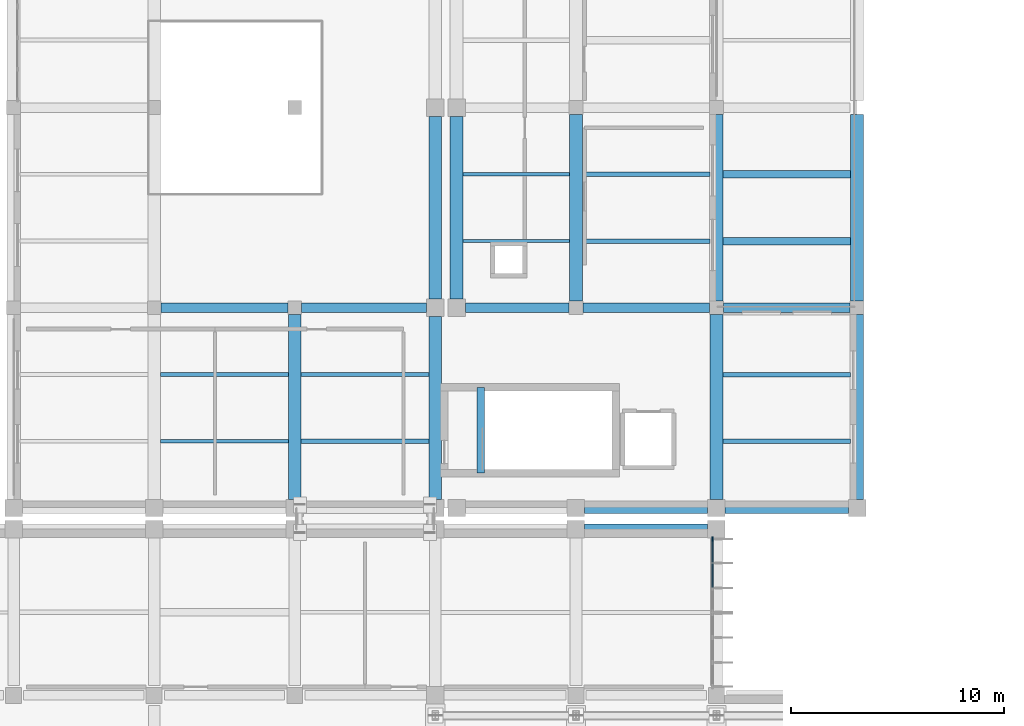
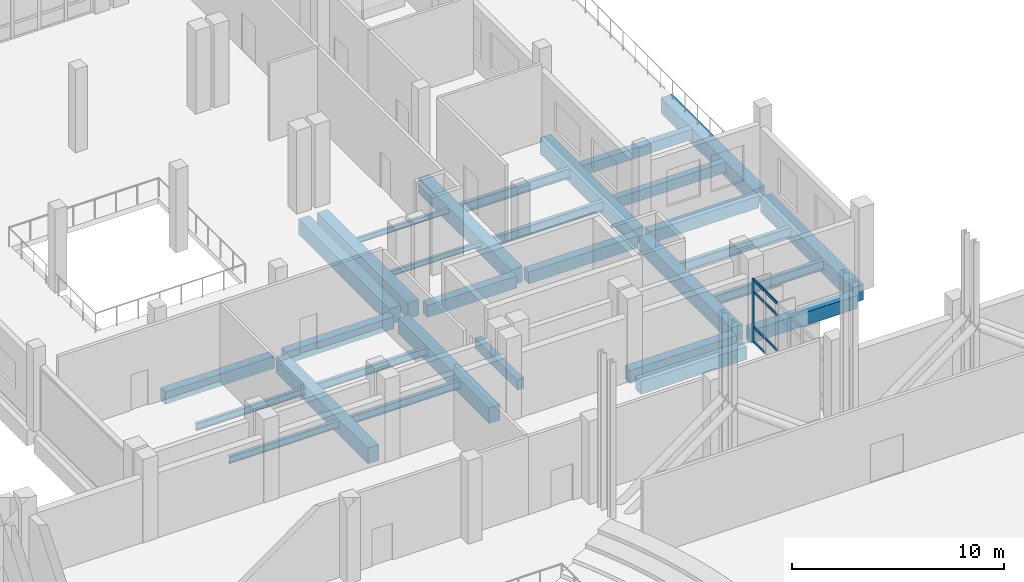
# One storey, part 27 of 73: 30 beams, 8 members, 1 element without a shape of its own.
"""IFC4 building model written with IfcOpenShell, lengths in metres."""

from ifc_helpers import new_model, si_unit, direction, frame, origin, origin_2d, place, context, subcontext, project, spatial, rectangle, i_section, extrude, material, layer, layer_set, material_profile, profile_set, type_object, element, aggregate, save


model = new_model("IFC4")

# Units and contexts
model_context = context("Model", 3, precision=1e-05, world=origin(), true_north=direction((0.0, 1.0)))
body_context = subcontext(model_context, "Body", "Model", "MODEL_VIEW")
ifc_project = project(units=[si_unit("LENGTHUNIT", "METRE"), si_unit("AREAUNIT", "SQUARE_METRE"), si_unit("VOLUMEUNIT", "CUBIC_METRE"), si_unit("PLANEANGLEUNIT", "RADIAN"), si_unit("MASSUNIT", "GRAM", prefix="KILO")], contexts=[model_context])

# Site, building, storey
site_placement = place(None, origin())
site = spatial("IfcSite", under=ifc_project, at=site_placement, CompositionType="ELEMENT")
building_placement = place(site_placement, origin())
building = spatial("IfcBuilding", under=site, at=building_placement, Name="Kelarvand Opera House", CompositionType="ELEMENT")
storey_placement = place(building_placement, frame((0.0, 0.0, 10.199951171875)))
storey = spatial("IfcBuildingStorey", under=building, at=storey_placement, Name="L02", CompositionType="ELEMENT", Elevation=10.199951171875)

# Curtain wall, members
ifc_material_1 = material(Name="Thermally broken aluminium and low-E glazing", Category="aluminium")
ifc_layer = layer(ifc_material_1, 0.219970703125, Name="Thermally broken aluminium and low-E glazing", Category="aluminium")
ifc_layer_set = layer_set([ifc_layer], Name="Thermally broken aluminium and low-E glazing")
curtain_wall_type = type_object("IfcCurtainWallType", Name="Unitised Low-E Curtain Wall 3493x3630 Mod 1150 CWF-05", PredefinedType="USERDEFINED", material=ifc_layer_set)
curtain_wall_placement = place(storey_placement, origin())
curtain_wall = element("IfcCurtainWall", 1, at=curtain_wall_placement, inside=storey, type_object=curtain_wall_type, Name="V1 L02 Curtain Wall CWF-05 (15)", ObjectType="UNITISED CURTAIN WALL", PredefinedType="USERDEFINED")
ifc_material_2 = material(Name="Thermally broken anodised aluminium", Category="aluminium")
ifc_material_profile_1 = material_profile(ifc_material_2, rectangle(XDim=0.074951171875, YDim=0.219970703125, at=origin_2d()), Name="ALU MULLION 75x220", Category="aluminium")
ifc_profile_set_1 = profile_set([ifc_material_profile_1], Name="Thermally broken anodised aluminium")
member_type_1 = type_object("IfcMemberType", Name="Curtain Wall Mullion 75x220 Heavy Plaza", PredefinedType="MULLION", material=ifc_profile_set_1)
member_1_placement = place(storey_placement, frame((128.419921875, 85.742431640625, 0.0), z_axis=(0.0, 0.0, 1.0), x_axis=(1.0, 0.0, 0.0)))
member_1 = element("IfcMember", 2, at=member_1_placement, type_object=member_type_1, Name="CWF-05 mullion 1", PredefinedType="MULLION", context=body_context, shape_type="SweptSolid", body=[
    extrude(rectangle(XDim=0.074951171875, YDim=0.219970703125, at=origin_2d()), origin(), (0.0, 0.0, 1.0), 3.630126953125),
])
ifc_material_profile_2 = material_profile(ifc_material_2, rectangle(XDim=0.074951171875, YDim=0.159912109375, at=origin_2d()), Name="ALU TRANSOM 75x160", Category="aluminium")
ifc_profile_set_2 = profile_set([ifc_material_profile_2], Name="Thermally broken anodised aluminium")
member_type_2 = type_object("IfcMemberType", Name="Curtain Wall Transom 75x160 Heavy Plaza", PredefinedType="USERDEFINED", material=ifc_profile_set_2)
member_2_placement = place(storey_placement, frame((128.419921875, 85.705078125, 0.03759765625), z_axis=(0.0, -1.0, 0.0), x_axis=(1.0, 0.0, 0.0)))
member_2 = element("IfcMember", 3, at=member_2_placement, type_object=member_type_2, Name="CWF-05 transom 1.1", ObjectType="TRANSOM", PredefinedType="USERDEFINED", context=body_context, shape_type="SweptSolid", body=[
    extrude(rectangle(XDim=0.074951171875, YDim=0.159912109375, at=origin_2d()), origin(), (0.0, 0.0, 1.0), 1.052001953125),
])
member_3_placement = place(storey_placement, frame((128.419921875, 85.705078125, 0.900146484375), z_axis=(0.0, -1.0, 0.0), x_axis=(1.0, 0.0, 0.0)))
member_3 = element("IfcMember", 4, at=member_3_placement, type_object=member_type_2, Name="CWF-05 transom 1.2", ObjectType="TRANSOM", PredefinedType="USERDEFINED", context=body_context, shape_type="SweptSolid", body=[
    extrude(rectangle(XDim=0.074951171875, YDim=0.159912109375, at=origin_2d()), origin(), (0.0, 0.0, 1.0), 1.052001953125),
])
member_4_placement = place(storey_placement, frame((128.419921875, 85.705078125, 2.929931640625), z_axis=(0.0, -1.0, 0.0), x_axis=(1.0, 0.0, 0.0)))
member_4 = element("IfcMember", 5, at=member_4_placement, type_object=member_type_2, Name="CWF-05 transom 1.3", ObjectType="TRANSOM", PredefinedType="USERDEFINED", context=body_context, shape_type="SweptSolid", body=[
    extrude(rectangle(XDim=0.074951171875, YDim=0.159912109375, at=origin_2d()), origin(), (0.0, 0.0, 1.0), 1.052001953125),
])
member_5_placement = place(storey_placement, frame((128.419921875, 85.705078125, 3.592529296875), z_axis=(0.0, -1.0, 0.0), x_axis=(1.0, 0.0, 0.0)))
member_5 = element("IfcMember", 6, at=member_5_placement, type_object=member_type_2, Name="CWF-05 transom 1.4", ObjectType="TRANSOM", PredefinedType="USERDEFINED", context=body_context, shape_type="SweptSolid", body=[
    extrude(rectangle(XDim=0.074951171875, YDim=0.159912109375, at=origin_2d()), origin(), (0.0, 0.0, 1.0), 1.052001953125),
])
member_6_placement = place(storey_placement, frame((128.419921875, 84.577880859375, 0.900146484375), z_axis=(0.0, -1.0, 0.0), x_axis=(1.0, 0.0, 0.0)))
member_6 = element("IfcMember", 7, at=member_6_placement, type_object=member_type_2, Name="CWF-05 transom 2.2", ObjectType="TRANSOM", PredefinedType="USERDEFINED", context=body_context, shape_type="SweptSolid", body=[
    extrude(rectangle(XDim=0.074951171875, YDim=0.159912109375, at=origin_2d()), origin(), (0.0, 0.0, 1.0), 1.08935546875),
])
member_7_placement = place(storey_placement, frame((128.419921875, 84.577880859375, 2.929931640625), z_axis=(0.0, -1.0, 0.0), x_axis=(1.0, 0.0, 0.0)))
member_7 = element("IfcMember", 8, at=member_7_placement, type_object=member_type_2, Name="CWF-05 transom 2.3", ObjectType="TRANSOM", PredefinedType="USERDEFINED", context=body_context, shape_type="SweptSolid", body=[
    extrude(rectangle(XDim=0.074951171875, YDim=0.159912109375, at=origin_2d()), origin(), (0.0, 0.0, 1.0), 1.08935546875),
])
member_8_placement = place(storey_placement, frame((128.419921875, 84.577880859375, 3.592529296875), z_axis=(0.0, -1.0, 0.0), x_axis=(1.0, 0.0, 0.0)))
member_8 = element("IfcMember", 9, at=member_8_placement, type_object=member_type_2, Name="CWF-05 transom 2.4", ObjectType="TRANSOM", PredefinedType="USERDEFINED", context=body_context, shape_type="SweptSolid", body=[
    extrude(rectangle(XDim=0.074951171875, YDim=0.159912109375, at=origin_2d()), origin(), (0.0, 0.0, 1.0), 1.08935546875),
])
aggregate(curtain_wall, [member_1, member_2, member_3, member_4, member_5, member_6, member_7, member_8])

# Beams
ifc_material_3 = material(Name="Concrete C35/45", Category="concrete")
ifc_material_profile_3 = material_profile(ifc_material_3, rectangle(XDim=0.35009765625, YDim=0.60009765625, at=origin_2d()), Name="RC 350x600", Category="concrete")
ifc_profile_set_3 = profile_set([ifc_material_profile_3], Name="Concrete C35/45")
beam_type_1 = type_object("IfcBeamType", Name="Structural Beam RC 350x600 BM-RC350x600", PredefinedType="BEAM", material=ifc_profile_set_3)
for number, where, z_axis, x_axis, name in (
    (10, (128.89990234375, 99.7333984375, -0.599853515625), (1.0, 0.0, 0.0), (0.0, 1.0, 0.0), "V5 L02 Beam BM-RC350x600"),
    (11, (128.89990234375, 102.86669921875, -0.599853515625), (1.0, 0.0, 0.0), (0.0, 1.0, 0.0), "V5 L02 Beam BM-RC350x600"),
):
    element("IfcBeam", number, at=place(storey_placement, frame(where, z_axis=z_axis, x_axis=x_axis)), inside=storey, type_object=beam_type_1, Name=name, PredefinedType="BEAM", context=body_context, shape_type="SweptSolid", body=[
        extrude(rectangle(XDim=0.35009765625, YDim=0.60009765625, at=origin_2d()), origin(), (0.0, 0.0, 1.0), 6.0),
    ])
beam_1_placement = place(storey_placement, frame((117.5400390625, 88.85009765625, -0.52001953125), z_axis=(0.0, 1.0, 0.0), x_axis=(-1.0, 0.0, 0.0)))
element("IfcBeam", 12, at=beam_1_placement, inside=storey, type_object=beam_type_1, Name="C7 Stair Landing Support Beam L02", PredefinedType="BEAM", context=body_context, shape_type="SweptSolid", body=[
    extrude(rectangle(XDim=0.35009765625, YDim=0.60009765625, at=origin_2d()), origin(), (0.0, 0.0, 1.0), 4.0),
])
ifc_material_4 = material(Name="Concrete C40/50", Category="concrete")
ifc_material_profile_4 = material_profile(ifc_material_4, rectangle(XDim=0.449951171875, YDim=0.699951171875, at=origin_2d()), Name="RC 450x700", Category="concrete")
ifc_profile_set_4 = profile_set([ifc_material_profile_4], Name="Concrete C40/50")
beam_type_2 = type_object("IfcBeamType", Name="Structural Beam RC 450x700 BM-RC450x700", PredefinedType="BEAM", material=ifc_profile_set_4)
beam_2_placement = place(storey_placement, frame((102.52490234375, 96.60009765625, -0.64990234375), z_axis=(1.0, 0.0, 0.0), x_axis=(0.0, 1.0, 0.0)))
element("IfcBeam", 13, at=beam_2_placement, inside=storey, type_object=beam_type_2, Name="V5 L02 Beam BM-RC450x700", PredefinedType="BEAM", context=body_context, shape_type="SweptSolid", body=[
    extrude(rectangle(XDim=0.449951171875, YDim=0.699951171875, at=origin_2d()), origin(), (0.0, 0.0, 1.0), 5.9501953125),
])
beam_3_placement = place(storey_placement, frame((109.125, 96.60009765625, -0.64990234375), z_axis=(1.0, 0.0, 0.0), x_axis=(0.0, 1.0, 0.0)))
element("IfcBeam", 14, at=beam_3_placement, inside=storey, type_object=beam_type_2, Name="V5 L02 Beam BM-RC450x700", PredefinedType="BEAM", context=body_context, shape_type="SweptSolid", body=[
    extrude(rectangle(XDim=0.449951171875, YDim=0.699951171875, at=origin_2d()), origin(), (0.0, 0.0, 1.0), 5.864990234375),
])
beam_4_placement = place(storey_placement, frame((116.81005859375, 96.60009765625, -0.64990234375), z_axis=(1.0, 0.0, 0.0), x_axis=(0.0, 1.0, 0.0)))
element("IfcBeam", 15, at=beam_4_placement, inside=storey, type_object=beam_type_2, Name="V5 L02 Beam BM-RC450x700", PredefinedType="BEAM", context=body_context, shape_type="SweptSolid", body=[
    extrude(rectangle(XDim=0.449951171875, YDim=0.699951171875, at=origin_2d()), origin(), (0.0, 0.0, 1.0), 4.864990234375),
])
for number, where, z_axis, x_axis, name in (
    (16, (122.324951171875, 96.60009765625, -0.64990234375), (1.0, 0.0, 0.0), (0.0, 1.0, 0.0), "V5 L02 Beam BM-RC450x700"),
    (17, (128.925048828125, 96.60009765625, -0.64990234375), (1.0, 0.0, 0.0), (0.0, 1.0, 0.0), "V5 L02 Beam BM-RC450x700"),
):
    element("IfcBeam", number, at=place(storey_placement, frame(where, z_axis=z_axis, x_axis=x_axis)), inside=storey, type_object=beam_type_2, Name=name, PredefinedType="BEAM", context=body_context, shape_type="SweptSolid", body=[
        extrude(rectangle(XDim=0.449951171875, YDim=0.699951171875, at=origin_2d()), origin(), (0.0, 0.0, 1.0), 5.949951171875),
    ])
ifc_material_profile_5 = material_profile(ifc_material_4, rectangle(XDim=0.60009765625, YDim=0.89990234375, at=origin_2d()), Name="RC 600x900", Category="concrete")
ifc_profile_set_5 = profile_set([ifc_material_profile_5], Name="Concrete C40/50")
beam_type_3 = type_object("IfcBeamType", Name="Structural Beam RC 600x900 BM-RC600x900", PredefinedType="BEAM", material=ifc_profile_set_5)
beam_5_placement = place(storey_placement, frame((108.800048828125, 87.610107421875, -0.75), z_axis=(0.0, 1.0, 0.0), x_axis=(-1.0, 0.0, 0.0)))
element("IfcBeam", 18, at=beam_5_placement, inside=storey, type_object=beam_type_3, Name="V5 L02 Beam BM-RC600x900", PredefinedType="BEAM", context=body_context, shape_type="SweptSolid", body=[
    extrude(rectangle(XDim=0.60009765625, YDim=0.89990234375, at=origin_2d()), origin(), (0.0, 0.0, 1.0), 8.664794921875),
])
beam_6_placement = place(storey_placement, frame((115.39990234375, 87.610107421875, -0.75), z_axis=(0.0, 1.0, 0.0), x_axis=(-1.0, 0.0, 0.0)))
element("IfcBeam", 19, at=beam_6_placement, inside=storey, type_object=beam_type_3, Name="V5 L02 Beam BM-RC600x900", PredefinedType="BEAM", context=body_context, shape_type="SweptSolid", body=[
    extrude(rectangle(XDim=0.60009765625, YDim=0.89990234375, at=origin_2d()), origin(), (0.0, 0.0, 1.0), 8.579833984375),
])
for number, where, z_axis, x_axis, name in (
    (20, (115.39990234375, 97.010009765625, -0.75), (0.0, 1.0, 0.0), (-1.0, 0.0, 0.0), "V5 L02 Beam BM-RC600x900"),
    (21, (116.39990234375, 97.010009765625, -0.75), (0.0, 1.0, 0.0), (-1.0, 0.0, 0.0), "V5 L02 Beam BM-RC600x900"),
):
    element("IfcBeam", number, at=place(storey_placement, frame(where, z_axis=z_axis, x_axis=x_axis)), inside=storey, type_object=beam_type_3, Name=name, PredefinedType="BEAM", context=body_context, shape_type="SweptSolid", body=[
        extrude(rectangle(XDim=0.60009765625, YDim=0.89990234375, at=origin_2d()), origin(), (0.0, 0.0, 1.0), 8.580078125),
    ])
beam_7_placement = place(storey_placement, frame((122.0, 96.925048828125, -0.75), z_axis=(0.0, 1.0, 0.0), x_axis=(-1.0, 0.0, 0.0)))
element("IfcBeam", 22, at=beam_7_placement, inside=storey, type_object=beam_type_3, Name="V5 L02 Beam BM-RC600x900", PredefinedType="BEAM", context=body_context, shape_type="SweptSolid", body=[
    extrude(rectangle(XDim=0.60009765625, YDim=0.89990234375, at=origin_2d()), origin(), (0.0, 0.0, 1.0), 8.75),
])
beam_8_placement = place(storey_placement, frame((128.60009765625, 87.610107421875, -0.75), z_axis=(0.0, 1.0, 0.0), x_axis=(-1.0, 0.0, 0.0)))
element("IfcBeam", 23, at=beam_8_placement, inside=storey, type_object=beam_type_3, Name="V5 L02 Beam BM-RC600x900", PredefinedType="BEAM", context=body_context, shape_type="SweptSolid", body=[
    extrude(rectangle(XDim=0.60009765625, YDim=0.89990234375, at=origin_2d()), origin(), (0.0, 0.0, 1.0), 8.664794921875),
])
beam_9_placement = place(storey_placement, frame((128.60009765625, 96.925048828125, -0.75), z_axis=(0.0, 1.0, 0.0), x_axis=(-1.0, 0.0, 0.0)))
element("IfcBeam", 24, at=beam_9_placement, inside=storey, type_object=beam_type_3, Name="V5 L02 Beam BM-RC600x900", PredefinedType="BEAM", context=body_context, shape_type="SweptSolid", body=[
    extrude(rectangle(XDim=0.60009765625, YDim=0.89990234375, at=origin_2d()), origin(), (0.0, 0.0, 1.0), 8.75),
])
ifc_material_5 = material(Name="Steel S355", Category="steel")
ifc_material_profile_6 = material_profile(ifc_material_5, i_section(OverallWidth=0.14990234375, OverallDepth=0.300048828125, WebThickness=0.007080078125, FlangeThickness=0.0107421875, at=origin_2d()), Name="IPE 300", Category="steel")
ifc_profile_set_6 = profile_set([ifc_material_profile_6], Name="Steel S355")
beam_type_4 = type_object("IfcBeamType", Name="Structural Joist IPE 300 JS-IPE300", PredefinedType="JOIST", material=ifc_profile_set_6)
for number, where, z_axis, x_axis, name in (
    (25, (116.699951171875, 99.7333984375, -0.449951171875), (1.0, 0.0, 0.0), (0.0, 1.0, 0.0), "V5 L02 Beam JS-IPE300"),
    (26, (116.699951171875, 102.86669921875, -0.449951171875), (1.0, 0.0, 0.0), (0.0, 1.0, 0.0), "V5 L02 Beam JS-IPE300"),
):
    element("IfcBeam", number, at=place(storey_placement, frame(where, z_axis=z_axis, x_axis=x_axis)), inside=storey, type_object=beam_type_4, Name=name, PredefinedType="JOIST", context=body_context, shape_type="SweptSolid", body=[
        extrude(i_section(OverallWidth=0.14990234375, OverallDepth=0.300048828125, WebThickness=0.007080078125, FlangeThickness=0.0107421875, at=origin_2d()), origin(), (0.0, 0.0, 1.0), 5.0),
    ])
ifc_material_profile_7 = material_profile(ifc_material_5, i_section(OverallWidth=0.179931640625, OverallDepth=0.39990234375, WebThickness=0.008544921875, FlangeThickness=0.013427734375, at=origin_2d()), Name="IPE 400", Category="steel")
ifc_profile_set_7 = profile_set([ifc_material_profile_7], Name="Steel S355")
beam_type_5 = type_object("IfcBeamType", Name="Structural Joist IPE 400 JS-IPE400", PredefinedType="JOIST", material=ifc_profile_set_7)
for number, where, z_axis, x_axis, name in (
    (27, (102.5, 90.333251953125, -0.5), (1.0, 0.0, 0.0), (0.0, 1.0, 0.0), "V5 L02 Beam JS-IPE400"),
    (28, (102.5, 93.466796875, -0.5), (1.0, 0.0, 0.0), (0.0, 1.0, 0.0), "V5 L02 Beam JS-IPE400"),
):
    element("IfcBeam", number, at=place(storey_placement, frame(where, z_axis=z_axis, x_axis=x_axis)), inside=storey, type_object=beam_type_5, Name=name, PredefinedType="JOIST", context=body_context, shape_type="SweptSolid", body=[
        extrude(i_section(OverallWidth=0.179931640625, OverallDepth=0.39990234375, WebThickness=0.008544921875, FlangeThickness=0.013427734375, at=origin_2d()), origin(), (0.0, 0.0, 1.0), 6.0),
    ])
ifc_material_profile_8 = material_profile(ifc_material_5, i_section(OverallWidth=0.18994140625, OverallDepth=0.449951171875, WebThickness=0.009521484375, FlangeThickness=0.0146484375, at=origin_2d()), Name="IPE 450", Category="steel")
ifc_profile_set_8 = profile_set([ifc_material_profile_8], Name="Steel S355")
beam_type_6 = type_object("IfcBeamType", Name="Structural Joist IPE 450 JS-IPE450", PredefinedType="JOIST", material=ifc_profile_set_8)
for number, where, z_axis, x_axis, name in (
    (29, (109.10009765625, 90.333251953125, -0.52490234375), (1.0, 0.0, 0.0), (0.0, 1.0, 0.0), "V5 L02 Beam JS-IPE450"),
    (30, (109.10009765625, 93.466796875, -0.52490234375), (1.0, 0.0, 0.0), (0.0, 1.0, 0.0), "V5 L02 Beam JS-IPE450"),
):
    element("IfcBeam", number, at=place(storey_placement, frame(where, z_axis=z_axis, x_axis=x_axis)), inside=storey, type_object=beam_type_6, Name=name, PredefinedType="JOIST", context=body_context, shape_type="SweptSolid", body=[
        extrude(i_section(OverallWidth=0.18994140625, OverallDepth=0.449951171875, WebThickness=0.009521484375, FlangeThickness=0.0146484375, at=origin_2d()), origin(), (0.0, 0.0, 1.0), 6.0),
    ])
ifc_material_profile_9 = material_profile(ifc_material_5, i_section(OverallWidth=0.2099609375, OverallDepth=0.550048828125, WebThickness=0.010986328125, FlangeThickness=0.01708984375, at=origin_2d()), Name="IPE 550", Category="steel")
ifc_profile_set_9 = profile_set([ifc_material_profile_9], Name="Steel S355")
beam_type_7 = type_object("IfcBeamType", Name="Structural Joist IPE 550 JS-IPE550", PredefinedType="JOIST", material=ifc_profile_set_9)
for number, where, z_axis, x_axis, name in (
    (31, (122.300048828125, 99.7333984375, -0.574951171875), (1.0, 0.0, 0.0), (0.0, 1.0, 0.0), "V5 L02 Beam JS-IPE550"),
    (32, (122.300048828125, 102.86669921875, -0.574951171875), (1.0, 0.0, 0.0), (0.0, 1.0, 0.0), "V5 L02 Beam JS-IPE550"),
    (33, (128.89990234375, 90.333251953125, -0.574951171875), (1.0, 0.0, 0.0), (0.0, 1.0, 0.0), "V5 L02 Beam JS-IPE550"),
    (34, (128.89990234375, 93.466796875, -0.574951171875), (1.0, 0.0, 0.0), (0.0, 1.0, 0.0), "V5 L02 Beam JS-IPE550"),
):
    element("IfcBeam", number, at=place(storey_placement, frame(where, z_axis=z_axis, x_axis=x_axis)), inside=storey, type_object=beam_type_7, Name=name, PredefinedType="JOIST", context=body_context, shape_type="SweptSolid", body=[
        extrude(i_section(OverallWidth=0.2099609375, OverallDepth=0.550048828125, WebThickness=0.010986328125, FlangeThickness=0.01708984375, at=origin_2d()), origin(), (0.0, 0.0, 1.0), 6.0),
    ])
ifc_material_profile_10 = material_profile(ifc_material_4, rectangle(XDim=0.5, YDim=0.75, at=origin_2d()), Name="RC 500x750", Category="concrete")
ifc_profile_set_10 = profile_set([ifc_material_profile_10], Name="Concrete C40/50")
beam_type_8 = type_object("IfcBeamType", Name="Structural Spandrel RC 500x750 SP-RC500x750E", PredefinedType="SPANDREL", material=ifc_profile_set_10)
for number, where, z_axis, x_axis, name in (
    (35, (122.409912109375, 86.199951171875, -0.695068359375), (1.0, 0.0, 0.0), (0.0, 1.0, 0.0), "V1 L02 Beam SP-RC500x750E"),
    (36, (122.409912109375, 87.199951171875, -0.675048828125), (1.0, 0.0, 0.0), (0.0, 1.0, 0.0), "V5 L02 Beam SP-RC500x750E"),
    (37, (129.010009765625, 87.199951171875, -0.675048828125), (1.0, 0.0, 0.0), (0.0, 1.0, 0.0), "V5 L02 Beam SP-RC500x750E"),
):
    element("IfcBeam", number, at=place(storey_placement, frame(where, z_axis=z_axis, x_axis=x_axis)), inside=storey, type_object=beam_type_8, Name=name, PredefinedType="SPANDREL", context=body_context, shape_type="SweptSolid", body=[
        extrude(rectangle(XDim=0.5, YDim=0.75, at=origin_2d()), origin(), (0.0, 0.0, 1.0), 5.780029296875),
    ])
ifc_material_profile_11 = material_profile(ifc_material_4, rectangle(XDim=0.60009765625, YDim=0.89990234375, at=origin_2d()), Name="RC 600x900", Category="concrete")
ifc_profile_set_11 = profile_set([ifc_material_profile_11], Name="Concrete C40/50")
beam_type_9 = type_object("IfcBeamType", Name="Structural Spandrel RC 600x900 SP-RC600x900E", PredefinedType="SPANDREL", material=ifc_profile_set_11)
beam_10_placement = place(storey_placement, frame((135.199951171875, 87.610107421875, -0.75), z_axis=(0.0, 1.0, 0.0), x_axis=(-1.0, 0.0, 0.0)))
element("IfcBeam", 38, at=beam_10_placement, inside=storey, type_object=beam_type_9, Name="V5 L02 Beam SP-RC600x900E", PredefinedType="SPANDREL", context=body_context, shape_type="SweptSolid", body=[
    extrude(rectangle(XDim=0.60009765625, YDim=0.89990234375, at=origin_2d()), origin(), (0.0, 0.0, 1.0), 8.664794921875),
])
beam_11_placement = place(storey_placement, frame((135.199951171875, 96.925048828125, -0.75), z_axis=(0.0, 1.0, 0.0), x_axis=(-1.0, 0.0, 0.0)))
element("IfcBeam", 39, at=beam_11_placement, inside=storey, type_object=beam_type_9, Name="V5 L02 Beam SP-RC600x900E", PredefinedType="SPANDREL", context=body_context, shape_type="SweptSolid", body=[
    extrude(rectangle(XDim=0.60009765625, YDim=0.89990234375, at=origin_2d()), origin(), (0.0, 0.0, 1.0), 8.75),
])

save(model, "model.ifc")
